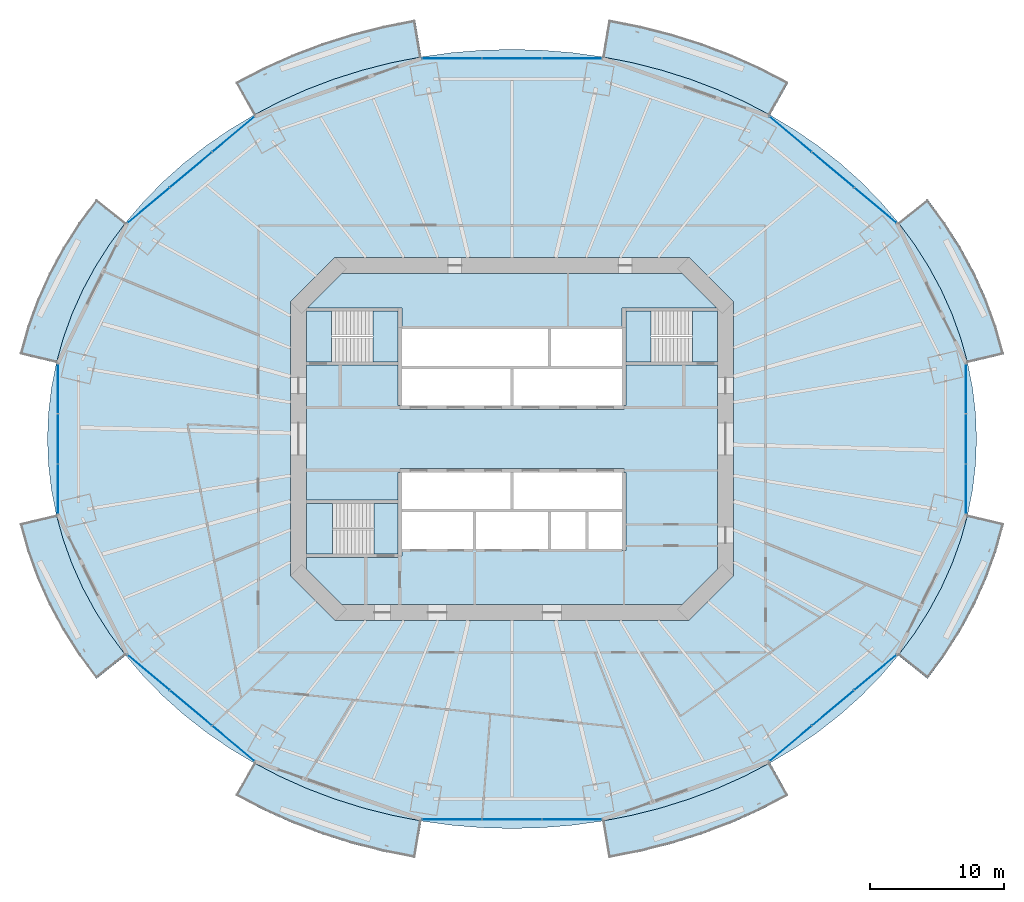
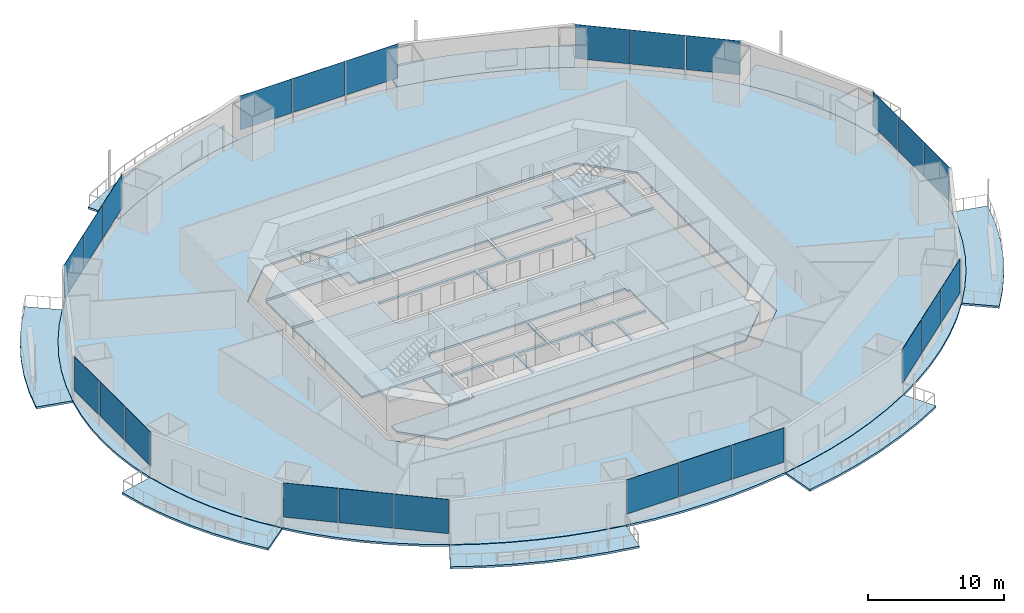
# One storey, part 12 of 22: 24 plates, 17 slabs, 11 elements without a shape of their own.
"""IFC4 building model written with IfcOpenShell, lengths in metres."""

from ifc_helpers import new_model, si_unit, direction, frame, origin, origin_2d, place, context, subcontext, project, spatial, polyline, rectangle, outline, extrude, material, layer, layer_set, type_object, element, aggregate, save


model = new_model("IFC4")

# Units and contexts
model_context = context("Model", 3, precision=1e-05, world=origin(), true_north=direction((0.0, 1.0)))
body_context = subcontext(model_context, "Body", "Model", "MODEL_VIEW")
ifc_project = project(units=[si_unit("LENGTHUNIT", "METRE"), si_unit("AREAUNIT", "SQUARE_METRE"), si_unit("VOLUMEUNIT", "CUBIC_METRE"), si_unit("PLANEANGLEUNIT", "RADIAN"), si_unit("MASSUNIT", "GRAM", prefix="KILO")], contexts=[model_context])

# Site, building, storey
site_placement = place(None, origin())
site = spatial("IfcSite", under=ifc_project, at=site_placement, CompositionType="ELEMENT")
building_placement = place(site_placement, origin())
building = spatial("IfcBuilding", under=site, at=building_placement, Name="Marenthal Gate Tower", CompositionType="ELEMENT")
storey_placement = place(building_placement, frame((0.0, 0.0, 95.25)))
storey = spatial("IfcBuildingStorey", under=building, at=storey_placement, Name="L19", CompositionType="ELEMENT", Elevation=95.25)

# Slabs
ifc_material_1 = material(Name="Concrete 40 MPa", Category="concrete")
ifc_layer_1 = layer(ifc_material_1, 0.179931640625)
ifc_layer_set_1 = layer_set([ifc_layer_1], Name="Balcony deck 180")
slab_type_1 = type_object("IfcSlabType", Name="Balcony deck 180", PredefinedType="USERDEFINED", material=ifc_layer_set_1)
slab_1_placement = place(storey_placement, frame((0.0, 0.0, -0.219970703125)))
element("IfcSlab", 1, at=slab_1_placement, inside=storey, type_object=slab_type_1, Name="Balcony deck L19 bay 1", ObjectType="BALCONY", PredefinedType="USERDEFINED", context=body_context, shape_type="SweptSolid", body=[
    extrude(outline(polyline([(34.11962890625, 5.69140625), (33.6025390625, 7.550537109375), (32.94189453125, 9.37744140625), (32.139892578125, 11.1640625), (31.200439453125, 12.90283203125), (30.127197265625, 14.58642578125), (28.92529296875, 16.207763671875), (31.114990234375, 17.95263671875), (32.43359375, 16.17431640625), (33.614013671875, 14.322265625), (34.650390625, 12.404052734375), (35.537109375, 10.427978515625), (36.269775390625, 8.40283203125), (36.843994140625, 6.337646484375), (34.11962890625, 5.69140625)])), origin(), (0.0, 0.0, 1.0), 0.179931640625),
])
slab_2_placement = place(storey_placement, frame((0.0, 0.0, -0.219970703125)))
element("IfcSlab", 2, at=slab_2_placement, inside=storey, type_object=slab_type_1, Name="Balcony deck L19 bay 3", ObjectType="BALCONY", PredefinedType="USERDEFINED", context=body_context, shape_type="SweptSolid", body=[
    extrude(outline(polyline([(19.3271484375, 24.256591796875), (17.39404296875, 25.2646484375), (15.38623046875, 26.16455078125), (13.312744140625, 26.952392578125), (11.18212890625, 27.624755859375), (9.00390625, 28.178955078125), (6.786865234375, 28.6123046875), (7.24755859375, 31.374267578125), (9.61767578125, 30.910888671875), (11.94873046875, 30.31787109375), (14.2314453125, 29.59716796875), (16.456298828125, 28.751953125), (18.6142578125, 27.78466796875), (20.69580078125, 26.69921875), (19.3271484375, 24.256591796875)])), origin(), (0.0, 0.0, 1.0), 0.179931640625),
])
slab_3_placement = place(storey_placement, frame((0.0, 0.0, -0.219970703125)))
element("IfcSlab", 3, at=slab_3_placement, inside=storey, type_object=slab_type_1, Name="Balcony deck L19 bay 5", ObjectType="BALCONY", PredefinedType="USERDEFINED", context=body_context, shape_type="SweptSolid", body=[
    extrude(outline(polyline([(-6.786865234375, 28.6123046875), (-9.00390625, 28.178955078125), (-11.18212890625, 27.624755859375), (-13.312744140625, 26.952392578125), (-15.38623046875, 26.16455078125), (-17.39404296875, 25.2646484375), (-19.3271484375, 24.256591796875), (-20.69580078125, 26.69921875), (-18.6142578125, 27.78466796875), (-16.456298828125, 28.751953125), (-14.2314453125, 29.59716796875), (-11.94873046875, 30.31787109375), (-9.61767578125, 30.910888671875), (-7.24755859375, 31.374267578125), (-6.786865234375, 28.6123046875)])), origin(), (0.0, 0.0, 1.0), 0.179931640625),
])
slab_4_placement = place(storey_placement, frame((0.0, 0.0, -0.219970703125)))
element("IfcSlab", 4, at=slab_4_placement, inside=storey, type_object=slab_type_1, Name="Balcony deck L19 bay 7", ObjectType="BALCONY", PredefinedType="USERDEFINED", context=body_context, shape_type="SweptSolid", body=[
    extrude(outline(polyline([(-28.92529296875, 16.207763671875), (-30.127197265625, 14.58642578125), (-31.200439453125, 12.90283203125), (-32.139892578125, 11.1640625), (-32.94189453125, 9.37744140625), (-33.6025390625, 7.550537109375), (-34.11962890625, 5.69140625), (-36.843994140625, 6.337646484375), (-36.269775390625, 8.40283203125), (-35.537109375, 10.427978515625), (-34.650390625, 12.404052734375), (-33.614013671875, 14.322265625), (-32.43359375, 16.17431640625), (-31.114990234375, 17.95263671875), (-28.92529296875, 16.207763671875)])), origin(), (0.0, 0.0, 1.0), 0.179931640625),
])
slab_5_placement = place(storey_placement, frame((0.0, 0.0, -0.219970703125)))
element("IfcSlab", 5, at=slab_5_placement, inside=storey, type_object=slab_type_1, Name="Balcony deck L19 bay 9", ObjectType="BALCONY", PredefinedType="USERDEFINED", context=body_context, shape_type="SweptSolid", body=[
    extrude(outline(polyline([(-34.11962890625, -5.69140625), (-33.6025390625, -7.550537109375), (-32.94189453125, -9.37744140625), (-32.139892578125, -11.1640625), (-31.200439453125, -12.90283203125), (-30.127197265625, -14.58642578125), (-28.92529296875, -16.207763671875), (-31.114990234375, -17.95263671875), (-32.43359375, -16.17431640625), (-33.614013671875, -14.322265625), (-34.650390625, -12.404052734375), (-35.537109375, -10.427978515625), (-36.269775390625, -8.40283203125), (-36.843994140625, -6.337646484375), (-34.11962890625, -5.69140625)])), origin(), (0.0, 0.0, 1.0), 0.179931640625),
])
slab_6_placement = place(storey_placement, frame((0.0, 0.0, -0.219970703125)))
element("IfcSlab", 6, at=slab_6_placement, inside=storey, type_object=slab_type_1, Name="Balcony deck L19 bay 11", ObjectType="BALCONY", PredefinedType="USERDEFINED", context=body_context, shape_type="SweptSolid", body=[
    extrude(outline(polyline([(-19.3271484375, -24.256591796875), (-17.39404296875, -25.2646484375), (-15.38623046875, -26.16455078125), (-13.312744140625, -26.952392578125), (-11.18212890625, -27.624755859375), (-9.00390625, -28.178955078125), (-6.786865234375, -28.6123046875), (-7.24755859375, -31.374267578125), (-9.61767578125, -30.910888671875), (-11.94873046875, -30.31787109375), (-14.2314453125, -29.59716796875), (-16.456298828125, -28.751953125), (-18.6142578125, -27.78466796875), (-20.69580078125, -26.69921875), (-19.3271484375, -24.256591796875)])), origin(), (0.0, 0.0, 1.0), 0.179931640625),
])
slab_7_placement = place(storey_placement, frame((0.0, 0.0, -0.219970703125)))
element("IfcSlab", 7, at=slab_7_placement, inside=storey, type_object=slab_type_1, Name="Balcony deck L19 bay 13", ObjectType="BALCONY", PredefinedType="USERDEFINED", context=body_context, shape_type="SweptSolid", body=[
    extrude(outline(polyline([(6.786865234375, -28.6123046875), (9.00390625, -28.178955078125), (11.18212890625, -27.624755859375), (13.312744140625, -26.952392578125), (15.38623046875, -26.16455078125), (17.39404296875, -25.2646484375), (19.3271484375, -24.256591796875), (20.69580078125, -26.69921875), (18.6142578125, -27.78466796875), (16.456298828125, -28.751953125), (14.2314453125, -29.59716796875), (11.94873046875, -30.31787109375), (9.61767578125, -30.910888671875), (7.24755859375, -31.374267578125), (6.786865234375, -28.6123046875)])), origin(), (0.0, 0.0, 1.0), 0.179931640625),
])
slab_8_placement = place(storey_placement, frame((0.0, 0.0, -0.219970703125)))
element("IfcSlab", 8, at=slab_8_placement, inside=storey, type_object=slab_type_1, Name="Balcony deck L19 bay 15", ObjectType="BALCONY", PredefinedType="USERDEFINED", context=body_context, shape_type="SweptSolid", body=[
    extrude(outline(polyline([(28.92529296875, -16.207763671875), (30.127197265625, -14.58642578125), (31.200439453125, -12.90283203125), (32.139892578125, -11.1640625), (32.94189453125, -9.37744140625), (33.6025390625, -7.550537109375), (34.11962890625, -5.69140625), (36.843994140625, -6.337646484375), (36.269775390625, -8.40283203125), (35.537109375, -10.427978515625), (34.650390625, -12.404052734375), (33.614013671875, -14.322265625), (32.43359375, -16.17431640625), (31.114990234375, -17.95263671875), (28.92529296875, -16.207763671875)])), origin(), (0.0, 0.0, 1.0), 0.179931640625),
])
ifc_material_2 = material(Name="Concrete 50 MPa", Category="concrete")
ifc_layer_2 = layer(ifc_material_2, 0.179931640625)
ifc_layer_set_2 = layer_set([ifc_layer_2], Name="Core floor slab 180")
slab_type_2 = type_object("IfcSlabType", Name="Core floor slab 180", PredefinedType="FLOOR", material=ifc_layer_set_2)
slab_9_placement = place(storey_placement, frame((0.0, 0.0, -0.179931640625)))
element("IfcSlab", 9, at=slab_9_placement, inside=storey, type_object=slab_type_2, Name="Core floor L19", PredefinedType="FLOOR", context=body_context, shape_type="SweptSolid", body=[
    extrude(outline(polyline([(15.39990234375, -9.75146484375), (12.75146484375, -12.39990234375), (-12.75146484375, -12.39990234375), (-15.39990234375, -9.75146484375), (-15.39990234375, -8.875), (-8.550048828125, -8.875), (-8.550048828125, -8.75), (-8.25, -8.75), (-8.25, -8.239990234375), (-5.60009765625, -8.239990234375), (-2.909912109375, -8.239990234375), (-2.909912109375, -5.4599609375), (-5.60009765625, -5.4599609375), (-8.25, -5.4599609375), (-8.25, -5.239990234375), (-5.60009765625, -5.239990234375), (-2.800048828125, -5.239990234375), (-0.110107421875, -5.239990234375), (-0.110107421875, -2.5), (0.110107421875, -2.5), (0.110107421875, -5.239990234375), (2.800048828125, -5.239990234375), (5.60009765625, -5.239990234375), (8.25, -5.239990234375), (8.25, -5.4599609375), (5.7099609375, -5.4599609375), (5.7099609375, -8.239990234375), (8.25, -8.239990234375), (8.25, -8.35009765625), (8.550048828125, -8.35009765625), (8.550048828125, -2.5), (8.39990234375, -2.5), (8.39990234375, -2.199951171875), (-8.39990234375, -2.199951171875), (-8.39990234375, -2.5), (-8.550048828125, -2.5), (-8.550048828125, -4.574951171875), (-15.39990234375, -4.574951171875), (-15.39990234375, 5.52490234375), (-8.550048828125, 5.52490234375), (-8.550048828125, 2.5), (-8.39990234375, 2.5), (-8.39990234375, 2.199951171875), (8.39990234375, 2.199951171875), (8.39990234375, 2.5), (8.550048828125, 2.5), (8.550048828125, 5.52490234375), (15.39990234375, 5.52490234375), (15.39990234375, -9.75146484375)]), holes=[polyline([(2.68994140625, -5.4599609375), (0.0, -5.4599609375), (-2.68994140625, -5.4599609375), (-2.68994140625, -8.239990234375), (0.0, -8.239990234375), (2.68994140625, -8.239990234375), (2.68994140625, -5.4599609375)]), polyline([(5.489990234375, -5.4599609375), (2.909912109375, -5.4599609375), (2.909912109375, -8.239990234375), (5.489990234375, -8.239990234375), (5.489990234375, -5.4599609375)])]), origin(), (0.0, 0.0, 1.0), 0.179931640625),
])
slab_10_placement = place(storey_placement, frame((0.0, 0.0, -0.179931640625)))
element("IfcSlab", 10, at=slab_10_placement, inside=storey, type_object=slab_type_2, Name="Core floor L19", PredefinedType="FLOOR", context=body_context, shape_type="SweptSolid", body=[
    extrude(outline(polyline([(15.39990234375, 5.77490234375), (13.5, 5.77490234375), (13.5, 9.574951171875), (15.39990234375, 9.574951171875), (15.39990234375, 5.77490234375)])), origin(), (0.0, 0.0, 1.0), 0.179931640625),
])
slab_11_placement = place(storey_placement, frame((0.0, 0.0, -0.179931640625)))
element("IfcSlab", 11, at=slab_11_placement, inside=storey, type_object=slab_type_2, Name="Core floor L19", PredefinedType="FLOOR", context=body_context, shape_type="SweptSolid", body=[
    extrude(outline(polyline([(12.75146484375, 12.39990234375), (15.326416015625, 9.824951171875), (8.550048828125, 9.824951171875), (8.25, 9.824951171875), (8.25, 8.35009765625), (8.25, 8.239990234375), (5.60009765625, 8.239990234375), (2.909912109375, 8.239990234375), (2.909912109375, 5.4599609375), (5.60009765625, 5.4599609375), (8.25, 5.4599609375), (8.25, 5.239990234375), (5.60009765625, 5.239990234375), (2.800048828125, 5.239990234375), (0.110107421875, 5.239990234375), (0.110107421875, 2.5), (-0.110107421875, 2.5), (-0.110107421875, 5.239990234375), (-2.800048828125, 5.239990234375), (-5.60009765625, 5.239990234375), (-8.25, 5.239990234375), (-8.25, 5.4599609375), (-5.60009765625, 5.4599609375), (-2.800048828125, 5.4599609375), (0.0, 5.4599609375), (2.68994140625, 5.4599609375), (2.68994140625, 8.239990234375), (0.0, 8.239990234375), (-2.800048828125, 8.239990234375), (-5.60009765625, 8.239990234375), (-8.25, 8.239990234375), (-8.25, 8.35009765625), (-8.25, 9.824951171875), (-8.550048828125, 9.824951171875), (-15.326416015625, 9.824951171875), (-12.75146484375, 12.39990234375), (12.75146484375, 12.39990234375)])), origin(), (0.0, 0.0, 1.0), 0.179931640625),
])
slab_12_placement = place(storey_placement, frame((0.0, 0.0, -0.179931640625)))
element("IfcSlab", 12, at=slab_12_placement, inside=storey, type_object=slab_type_2, Name="Core floor L19", PredefinedType="FLOOR", context=body_context, shape_type="SweptSolid", body=[
    extrude(outline(polyline([(-15.39990234375, 9.574951171875), (-13.5, 9.574951171875), (-13.5, 5.77490234375), (-15.39990234375, 5.77490234375), (-15.39990234375, 9.574951171875)])), origin(), (0.0, 0.0, 1.0), 0.179931640625),
])
slab_13_placement = place(storey_placement, frame((0.0, 0.0, -0.179931640625)))
element("IfcSlab", 13, at=slab_13_placement, inside=storey, type_object=slab_type_2, Name="Core floor L19", PredefinedType="FLOOR", context=body_context, shape_type="SweptSolid", body=[
    extrude(outline(polyline([(-8.550048828125, -8.625), (-10.35009765625, -8.625), (-10.35009765625, -4.824951171875), (-8.550048828125, -4.824951171875), (-8.550048828125, -8.625)])), origin(), (0.0, 0.0, 1.0), 0.179931640625),
])
ifc_material_3 = material(Name="Concrete 35 MPa", Category="concrete")
ifc_layer_3 = layer(ifc_material_3, 0.179931640625)
ifc_layer_set_3 = layer_set([ifc_layer_3], Name="Floor slab 180")
slab_type_3 = type_object("IfcSlabType", Name="Floor slab 180", PredefinedType="FLOOR", material=ifc_layer_set_3)
slab_14_placement = place(storey_placement, frame((0.0, 0.0, -0.179931640625)))
element("IfcSlab", 14, at=slab_14_placement, inside=storey, type_object=slab_type_3, Name="SL-L19-01", PredefinedType="FLOOR", context=body_context, shape_type="SweptSolid", body=[
    extrude(outline(polyline([(34.7880859375, 0.0), (34.71337890625, 1.907958984375), (34.490478515625, 3.807861328125), (34.11962890625, 5.69140625), (33.6025390625, 7.550537109375), (32.94189453125, 9.37744140625), (32.139892578125, 11.1640625), (31.200439453125, 12.90283203125), (30.127197265625, 14.58642578125), (28.92529296875, 16.207763671875), (27.59912109375, 17.759521484375), (26.155029296875, 19.235107421875), (24.598876953125, 20.62841796875), (22.937255859375, 21.933349609375), (21.177490234375, 23.14453125), (19.3271484375, 24.256591796875), (17.39404296875, 25.2646484375), (15.38623046875, 26.16455078125), (13.312744140625, 26.952392578125), (11.18212890625, 27.624755859375), (9.00390625, 28.178955078125), (6.786865234375, 28.6123046875), (4.540771484375, 28.92333984375), (2.275146484375, 29.110595703125), (0.0, 29.173095703125), (-2.275146484375, 29.110595703125), (-4.540771484375, 28.92333984375), (-6.786865234375, 28.6123046875), (-9.00390625, 28.178955078125), (-11.18212890625, 27.624755859375), (-13.312744140625, 26.952392578125), (-15.38623046875, 26.16455078125), (-17.39404296875, 25.2646484375), (-19.3271484375, 24.256591796875), (-21.177490234375, 23.14453125), (-22.937255859375, 21.933349609375), (-24.598876953125, 20.62841796875), (-26.155029296875, 19.235107421875), (-27.59912109375, 17.759521484375), (-28.92529296875, 16.207763671875), (-30.127197265625, 14.58642578125), (-31.200439453125, 12.90283203125), (-32.139892578125, 11.1640625), (-32.94189453125, 9.37744140625), (-33.6025390625, 7.550537109375), (-34.11962890625, 5.69140625), (-34.490478515625, 3.807861328125), (-34.71337890625, 1.907958984375), (-34.7880859375, 0.0), (-34.71337890625, -1.907958984375), (-34.490478515625, -3.807861328125), (-34.11962890625, -5.69140625), (-33.6025390625, -7.550537109375), (-32.94189453125, -9.37744140625), (-32.139892578125, -11.1640625), (-31.200439453125, -12.90283203125), (-30.127197265625, -14.58642578125), (-28.92529296875, -16.207763671875), (-27.59912109375, -17.759521484375), (-26.155029296875, -19.235107421875), (-24.598876953125, -20.62841796875), (-22.937255859375, -21.933349609375), (-21.177490234375, -23.14453125), (-19.3271484375, -24.256591796875), (-17.39404296875, -25.2646484375), (-15.38623046875, -26.16455078125), (-13.312744140625, -26.952392578125), (-11.18212890625, -27.624755859375), (-9.00390625, -28.178955078125), (-6.786865234375, -28.6123046875), (-4.540771484375, -28.92333984375), (-2.275146484375, -29.110595703125), (0.0, -29.173095703125), (2.275146484375, -29.110595703125), (4.540771484375, -28.92333984375), (6.786865234375, -28.6123046875), (9.00390625, -28.178955078125), (11.18212890625, -27.624755859375), (13.312744140625, -26.952392578125), (15.38623046875, -26.16455078125), (17.39404296875, -25.2646484375), (19.3271484375, -24.256591796875), (21.177490234375, -23.14453125), (22.937255859375, -21.933349609375), (24.598876953125, -20.62841796875), (26.155029296875, -19.235107421875), (27.59912109375, -17.759521484375), (28.92529296875, -16.207763671875), (30.127197265625, -14.58642578125), (31.200439453125, -12.90283203125), (32.139892578125, -11.1640625), (32.94189453125, -9.37744140625), (33.6025390625, -7.550537109375), (34.11962890625, -5.69140625), (34.490478515625, -3.807861328125), (34.71337890625, -1.907958984375), (34.7880859375, 0.0)]), holes=[polyline([(13.24853515625, -13.60009765625), (16.60009765625, -10.24853515625), (16.60009765625, 10.24853515625), (13.24853515625, 13.60009765625), (-13.24853515625, 13.60009765625), (-16.60009765625, 10.24853515625), (-16.60009765625, -10.24853515625), (-13.24853515625, -13.60009765625), (13.24853515625, -13.60009765625)])]), origin(), (0.0, 0.0, 1.0), 0.179931640625),
])

# Curtain wall, plates
ifc_material_4 = material(Name="Aluminium and glass", Category="aluminium")
curtain_wall_type = type_object("IfcCurtainWallType", Name="Curtain wall typical low", PredefinedType="NOTDEFINED", material=ifc_material_4)
curtain_wall_1_placement = place(storey_placement, origin())
curtain_wall_1 = element("IfcCurtainWall", 15, at=curtain_wall_1_placement, inside=storey, type_object=curtain_wall_type, Name="Curtain wall L19 bay 2", PredefinedType="NOTDEFINED")
ifc_material_5 = material(Name="Glass, laminated insulating unit", Category="glass")
ifc_layer_4 = layer(ifc_material_5, 0.030029296875)
ifc_layer_set_4 = layer_set([ifc_layer_4], Name="Glass panel 30 typical low")
plate_type = type_object("IfcPlateType", Name="Glass panel 30 typical low", PredefinedType="CURTAIN_PANEL", material=ifc_layer_set_4)
plate_1_placement = place(storey_placement, frame((27.2158203125, 17.48974609375, 0.89990234375), z_axis=(0.0, 0.0, 1.0), x_axis=(-0.766446913648, 0.642307658805, 0.0)))
plate_1 = element("IfcPlate", 16, at=plate_1_placement, type_object=plate_type, Name="Glass panel L19 bay 2.1", PredefinedType="CURTAIN_PANEL", context=body_context, shape_type="SweptSolid", body=[
    extrude(rectangle(XDim=4.079833984375, YDim=0.030029296875, at=origin_2d()), origin(), (0.0, 0.0, 1.0), 3.070068359375),
])
plate_2_placement = place(storey_placement, frame((24.04296875, 20.14892578125, 0.89990234375), z_axis=(0.0, 0.0, 1.0), x_axis=(-0.766446913648, 0.642307658805, 0.0)))
plate_2 = element("IfcPlate", 17, at=plate_2_placement, type_object=plate_type, Name="Glass panel L19 bay 2.2", PredefinedType="CURTAIN_PANEL", context=body_context, shape_type="SweptSolid", body=[
    extrude(rectangle(XDim=4.079833984375, YDim=0.030029296875, at=origin_2d()), origin(), (0.0, 0.0, 1.0), 3.070068359375),
])
plate_3_placement = place(storey_placement, frame((20.869873046875, 22.807861328125, 0.89990234375), z_axis=(0.0, 0.0, 1.0), x_axis=(-0.766446913648, 0.642307658805, 0.0)))
plate_3 = element("IfcPlate", 18, at=plate_3_placement, type_object=plate_type, Name="Glass panel L19 bay 2.3", PredefinedType="CURTAIN_PANEL", context=body_context, shape_type="SweptSolid", body=[
    extrude(rectangle(XDim=4.079833984375, YDim=0.030029296875, at=origin_2d()), origin(), (0.0, 0.0, 1.0), 3.070068359375),
])
aggregate(curtain_wall_1, [plate_1, plate_2, plate_3])

curtain_wall_2_placement = place(storey_placement, origin())
curtain_wall_2 = element("IfcCurtainWall", 19, at=curtain_wall_2_placement, inside=storey, type_object=curtain_wall_type, Name="Curtain wall L19 bay 4", PredefinedType="NOTDEFINED")
plate_4_placement = place(storey_placement, frame((4.489013671875, 28.494873046875, 0.89990234375), z_axis=(0.0, 0.0, 1.0), x_axis=(-1.0, 0.0, 0.0)))
plate_4 = element("IfcPlate", 20, at=plate_4_placement, type_object=plate_type, Name="Glass panel L19 bay 4.1", PredefinedType="CURTAIN_PANEL", context=body_context, shape_type="SweptSolid", body=[
    extrude(rectangle(XDim=4.428955078125, YDim=0.030029296875, at=origin_2d()), origin(), (0.0, 0.0, 1.0), 3.070068359375),
])
plate_5_placement = place(storey_placement, frame((0.0, 28.494873046875, 0.89990234375), z_axis=(0.0, 0.0, 1.0), x_axis=(-1.0, 0.0, 0.0)))
plate_5 = element("IfcPlate", 21, at=plate_5_placement, type_object=plate_type, Name="Glass panel L19 bay 4.2", PredefinedType="CURTAIN_PANEL", context=body_context, shape_type="SweptSolid", body=[
    extrude(rectangle(XDim=4.428955078125, YDim=0.030029296875, at=origin_2d()), origin(), (0.0, 0.0, 1.0), 3.070068359375),
])
plate_6_placement = place(storey_placement, frame((-4.489013671875, 28.494873046875, 0.89990234375), z_axis=(0.0, 0.0, 1.0), x_axis=(-1.0, 0.0, 0.0)))
plate_6 = element("IfcPlate", 22, at=plate_6_placement, type_object=plate_type, Name="Glass panel L19 bay 4.3", PredefinedType="CURTAIN_PANEL", context=body_context, shape_type="SweptSolid", body=[
    extrude(rectangle(XDim=4.428955078125, YDim=0.030029296875, at=origin_2d()), origin(), (0.0, 0.0, 1.0), 3.070068359375),
])
aggregate(curtain_wall_2, [plate_4, plate_5, plate_6])

curtain_wall_3_placement = place(storey_placement, origin())
curtain_wall_3 = element("IfcCurtainWall", 23, at=curtain_wall_3_placement, inside=storey, type_object=curtain_wall_type, Name="Curtain wall L19 bay 6", PredefinedType="NOTDEFINED")
plate_7_placement = place(storey_placement, frame((-20.869873046875, 22.807861328125, 0.89990234375), z_axis=(0.0, 0.0, 1.0), x_axis=(-0.766446913648, -0.642307658805, 0.0)))
plate_7 = element("IfcPlate", 24, at=plate_7_placement, type_object=plate_type, Name="Glass panel L19 bay 6.1", PredefinedType="CURTAIN_PANEL", context=body_context, shape_type="SweptSolid", body=[
    extrude(rectangle(XDim=4.079833984375, YDim=0.030029296875, at=origin_2d()), origin(), (0.0, 0.0, 1.0), 3.070068359375),
])
plate_8_placement = place(storey_placement, frame((-24.04296875, 20.14892578125, 0.89990234375), z_axis=(0.0, 0.0, 1.0), x_axis=(-0.766446913648, -0.642307658805, 0.0)))
plate_8 = element("IfcPlate", 25, at=plate_8_placement, type_object=plate_type, Name="Glass panel L19 bay 6.2", PredefinedType="CURTAIN_PANEL", context=body_context, shape_type="SweptSolid", body=[
    extrude(rectangle(XDim=4.079833984375, YDim=0.030029296875, at=origin_2d()), origin(), (0.0, 0.0, 1.0), 3.070068359375),
])
plate_9_placement = place(storey_placement, frame((-27.2158203125, 17.48974609375, 0.89990234375), z_axis=(0.0, 0.0, 1.0), x_axis=(-0.766446913648, -0.642307658805, 0.0)))
plate_9 = element("IfcPlate", 26, at=plate_9_placement, type_object=plate_type, Name="Glass panel L19 bay 6.3", PredefinedType="CURTAIN_PANEL", context=body_context, shape_type="SweptSolid", body=[
    extrude(rectangle(XDim=4.079833984375, YDim=0.030029296875, at=origin_2d()), origin(), (0.0, 0.0, 1.0), 3.070068359375),
])
aggregate(curtain_wall_3, [plate_7, plate_8, plate_9])

curtain_wall_4_placement = place(storey_placement, origin())
curtain_wall_4 = element("IfcCurtainWall", 27, at=curtain_wall_4_placement, inside=storey, type_object=curtain_wall_type, Name="Curtain wall L19 bay 8", PredefinedType="NOTDEFINED")
plate_10_placement = place(storey_placement, frame((-34.001953125, 3.758544921875, 0.89990234375), z_axis=(0.0, 0.0, 1.0), x_axis=(0.0, -1.0, 0.0)))
plate_10 = element("IfcPlate", 28, at=plate_10_placement, type_object=plate_type, Name="Glass panel L19 bay 8.1", PredefinedType="CURTAIN_PANEL", context=body_context, shape_type="SweptSolid", body=[
    extrude(rectangle(XDim=3.69873046875, YDim=0.030029296875, at=origin_2d()), origin(), (0.0, 0.0, 1.0), 3.070068359375),
])
plate_11_placement = place(storey_placement, frame((-34.001953125, 0.0, 0.89990234375), z_axis=(0.0, 0.0, 1.0), x_axis=(0.0, -1.0, 0.0)))
plate_11 = element("IfcPlate", 29, at=plate_11_placement, type_object=plate_type, Name="Glass panel L19 bay 8.2", PredefinedType="CURTAIN_PANEL", context=body_context, shape_type="SweptSolid", body=[
    extrude(rectangle(XDim=3.698486328125, YDim=0.030029296875, at=origin_2d()), origin(), (0.0, 0.0, 1.0), 3.070068359375),
])
plate_12_placement = place(storey_placement, frame((-34.001953125, -3.758544921875, 0.89990234375), z_axis=(0.0, 0.0, 1.0), x_axis=(0.0, -1.0, 0.0)))
plate_12 = element("IfcPlate", 30, at=plate_12_placement, type_object=plate_type, Name="Glass panel L19 bay 8.3", PredefinedType="CURTAIN_PANEL", context=body_context, shape_type="SweptSolid", body=[
    extrude(rectangle(XDim=3.69873046875, YDim=0.030029296875, at=origin_2d()), origin(), (0.0, 0.0, 1.0), 3.070068359375),
])
aggregate(curtain_wall_4, [plate_10, plate_11, plate_12])

curtain_wall_5_placement = place(storey_placement, origin())
curtain_wall_5 = element("IfcCurtainWall", 31, at=curtain_wall_5_placement, inside=storey, type_object=curtain_wall_type, Name="Curtain wall L19 bay 10", PredefinedType="NOTDEFINED")
plate_13_placement = place(storey_placement, frame((-27.2158203125, -17.48974609375, 0.89990234375), z_axis=(0.0, 0.0, 1.0), x_axis=(0.766446913648, -0.642307658805, 0.0)))
plate_13 = element("IfcPlate", 32, at=plate_13_placement, type_object=plate_type, Name="Glass panel L19 bay 10.1", PredefinedType="CURTAIN_PANEL", context=body_context, shape_type="SweptSolid", body=[
    extrude(rectangle(XDim=4.079833984375, YDim=0.030029296875, at=origin_2d()), origin(), (0.0, 0.0, 1.0), 3.070068359375),
])
plate_14_placement = place(storey_placement, frame((-24.04296875, -20.14892578125, 0.89990234375), z_axis=(0.0, 0.0, 1.0), x_axis=(0.766446913648, -0.642307658805, 0.0)))
plate_14 = element("IfcPlate", 33, at=plate_14_placement, type_object=plate_type, Name="Glass panel L19 bay 10.2", PredefinedType="CURTAIN_PANEL", context=body_context, shape_type="SweptSolid", body=[
    extrude(rectangle(XDim=4.079833984375, YDim=0.030029296875, at=origin_2d()), origin(), (0.0, 0.0, 1.0), 3.070068359375),
])
plate_15_placement = place(storey_placement, frame((-20.869873046875, -22.807861328125, 0.89990234375), z_axis=(0.0, 0.0, 1.0), x_axis=(0.766446913648, -0.642307658805, 0.0)))
plate_15 = element("IfcPlate", 34, at=plate_15_placement, type_object=plate_type, Name="Glass panel L19 bay 10.3", PredefinedType="CURTAIN_PANEL", context=body_context, shape_type="SweptSolid", body=[
    extrude(rectangle(XDim=4.079833984375, YDim=0.030029296875, at=origin_2d()), origin(), (0.0, 0.0, 1.0), 3.070068359375),
])
aggregate(curtain_wall_5, [plate_13, plate_14, plate_15])

curtain_wall_6_placement = place(storey_placement, origin())
curtain_wall_6 = element("IfcCurtainWall", 35, at=curtain_wall_6_placement, inside=storey, type_object=curtain_wall_type, Name="Curtain wall L19 bay 12", PredefinedType="NOTDEFINED")
plate_16_placement = place(storey_placement, frame((-4.489013671875, -28.494873046875, 0.89990234375), z_axis=(0.0, 0.0, 1.0), x_axis=(1.0, 0.0, 0.0)))
plate_16 = element("IfcPlate", 36, at=plate_16_placement, type_object=plate_type, Name="Glass panel L19 bay 12.1", PredefinedType="CURTAIN_PANEL", context=body_context, shape_type="SweptSolid", body=[
    extrude(rectangle(XDim=4.428955078125, YDim=0.030029296875, at=origin_2d()), origin(), (0.0, 0.0, 1.0), 3.070068359375),
])
plate_17_placement = place(storey_placement, frame((0.0, -28.494873046875, 0.89990234375), z_axis=(0.0, 0.0, 1.0), x_axis=(1.0, 0.0, 0.0)))
plate_17 = element("IfcPlate", 37, at=plate_17_placement, type_object=plate_type, Name="Glass panel L19 bay 12.2", PredefinedType="CURTAIN_PANEL", context=body_context, shape_type="SweptSolid", body=[
    extrude(rectangle(XDim=4.428955078125, YDim=0.030029296875, at=origin_2d()), origin(), (0.0, 0.0, 1.0), 3.070068359375),
])
plate_18_placement = place(storey_placement, frame((4.489013671875, -28.494873046875, 0.89990234375), z_axis=(0.0, 0.0, 1.0), x_axis=(1.0, 0.0, 0.0)))
plate_18 = element("IfcPlate", 38, at=plate_18_placement, type_object=plate_type, Name="Glass panel L19 bay 12.3", PredefinedType="CURTAIN_PANEL", context=body_context, shape_type="SweptSolid", body=[
    extrude(rectangle(XDim=4.428955078125, YDim=0.030029296875, at=origin_2d()), origin(), (0.0, 0.0, 1.0), 3.070068359375),
])
aggregate(curtain_wall_6, [plate_16, plate_17, plate_18])

curtain_wall_7_placement = place(storey_placement, origin())
curtain_wall_7 = element("IfcCurtainWall", 39, at=curtain_wall_7_placement, inside=storey, type_object=curtain_wall_type, Name="Curtain wall L19 bay 14", PredefinedType="NOTDEFINED")
plate_19_placement = place(storey_placement, frame((20.869873046875, -22.807861328125, 0.89990234375), z_axis=(0.0, 0.0, 1.0), x_axis=(0.766446913648, 0.642307658805, 0.0)))
plate_19 = element("IfcPlate", 40, at=plate_19_placement, type_object=plate_type, Name="Glass panel L19 bay 14.1", PredefinedType="CURTAIN_PANEL", context=body_context, shape_type="SweptSolid", body=[
    extrude(rectangle(XDim=4.079833984375, YDim=0.030029296875, at=origin_2d()), origin(), (0.0, 0.0, 1.0), 3.070068359375),
])
plate_20_placement = place(storey_placement, frame((24.04296875, -20.14892578125, 0.89990234375), z_axis=(0.0, 0.0, 1.0), x_axis=(0.766446913648, 0.642307658805, 0.0)))
plate_20 = element("IfcPlate", 41, at=plate_20_placement, type_object=plate_type, Name="Glass panel L19 bay 14.2", PredefinedType="CURTAIN_PANEL", context=body_context, shape_type="SweptSolid", body=[
    extrude(rectangle(XDim=4.079833984375, YDim=0.030029296875, at=origin_2d()), origin(), (0.0, 0.0, 1.0), 3.070068359375),
])
plate_21_placement = place(storey_placement, frame((27.2158203125, -17.48974609375, 0.89990234375), z_axis=(0.0, 0.0, 1.0), x_axis=(0.766446913648, 0.642307658805, 0.0)))
plate_21 = element("IfcPlate", 42, at=plate_21_placement, type_object=plate_type, Name="Glass panel L19 bay 14.3", PredefinedType="CURTAIN_PANEL", context=body_context, shape_type="SweptSolid", body=[
    extrude(rectangle(XDim=4.079833984375, YDim=0.030029296875, at=origin_2d()), origin(), (0.0, 0.0, 1.0), 3.070068359375),
])
aggregate(curtain_wall_7, [plate_19, plate_20, plate_21])

curtain_wall_8_placement = place(storey_placement, origin())
curtain_wall_8 = element("IfcCurtainWall", 43, at=curtain_wall_8_placement, inside=storey, type_object=curtain_wall_type, Name="Curtain wall L19 bay 16", PredefinedType="NOTDEFINED")
plate_22_placement = place(storey_placement, frame((34.001953125, -3.758544921875, 0.89990234375), z_axis=(0.0, 0.0, 1.0), x_axis=(0.0, 1.0, 0.0)))
plate_22 = element("IfcPlate", 44, at=plate_22_placement, type_object=plate_type, Name="Glass panel L19 bay 16.1", PredefinedType="CURTAIN_PANEL", context=body_context, shape_type="SweptSolid", body=[
    extrude(rectangle(XDim=3.69873046875, YDim=0.030029296875, at=origin_2d()), origin(), (0.0, 0.0, 1.0), 3.070068359375),
])
plate_23_placement = place(storey_placement, frame((34.001953125, 0.0, 0.89990234375), z_axis=(0.0, 0.0, 1.0), x_axis=(0.0, 1.0, 0.0)))
plate_23 = element("IfcPlate", 45, at=plate_23_placement, type_object=plate_type, Name="Glass panel L19 bay 16.2", PredefinedType="CURTAIN_PANEL", context=body_context, shape_type="SweptSolid", body=[
    extrude(rectangle(XDim=3.698486328125, YDim=0.030029296875, at=origin_2d()), origin(), (0.0, 0.0, 1.0), 3.070068359375),
])
plate_24_placement = place(storey_placement, frame((34.001953125, 3.758544921875, 0.89990234375), z_axis=(0.0, 0.0, 1.0), x_axis=(0.0, 1.0, 0.0)))
plate_24 = element("IfcPlate", 46, at=plate_24_placement, type_object=plate_type, Name="Glass panel L19 bay 16.3", PredefinedType="CURTAIN_PANEL", context=body_context, shape_type="SweptSolid", body=[
    extrude(rectangle(XDim=3.69873046875, YDim=0.030029296875, at=origin_2d()), origin(), (0.0, 0.0, 1.0), 3.070068359375),
])
aggregate(curtain_wall_8, [plate_22, plate_23, plate_24])

# Stair, slab
ifc_material_6 = material(Name="Concrete 40 MPa", Category="concrete")
stair_type = type_object("IfcStairType", Name="Exit stair 1800", PredefinedType="HALF_TURN_STAIR", material=ifc_material_6)
stair_1_placement = place(storey_placement, origin())
stair_1 = element("IfcStair", 47, at=stair_1_placement, inside=storey, type_object=stair_type, Name="Stair ST1", PredefinedType="HALF_TURN_STAIR")
ifc_material_7 = material(Name="Concrete 40 MPa", Category="concrete")
ifc_layer_5 = layer(ifc_material_7, 0.199951171875)
ifc_layer_set_5 = layer_set([ifc_layer_5], Name="Stair landing 200")
slab_type_4 = type_object("IfcSlabType", Name="Stair landing 200", PredefinedType="LANDING", material=ifc_layer_set_5)
slab_15_placement = place(storey_placement, frame((0.0, 0.0, 1.875)))
slab_15 = element("IfcSlab", 48, at=slab_15_placement, type_object=slab_type_4, Name="ST1 landing 1", PredefinedType="LANDING", context=body_context, shape_type="SweptSolid", body=[
    extrude(outline(polyline([(-10.419921875, 5.77490234375), (-8.550048828125, 5.77490234375), (-8.550048828125, 9.574951171875), (-10.419921875, 9.574951171875), (-10.419921875, 5.77490234375)])), origin(), (0.0, 0.0, 1.0), 0.199951171875),
])
aggregate(stair_1, [slab_15])

stair_2_placement = place(storey_placement, origin())
stair_2 = element("IfcStair", 49, at=stair_2_placement, inside=storey, type_object=stair_type, Name="Stair ST2", PredefinedType="HALF_TURN_STAIR")
slab_16_placement = place(storey_placement, frame((0.0, 0.0, 1.875)))
slab_16 = element("IfcSlab", 50, at=slab_16_placement, type_object=slab_type_4, Name="ST2 landing 1", PredefinedType="LANDING", context=body_context, shape_type="SweptSolid", body=[
    extrude(outline(polyline([(-15.39990234375, -8.625), (-13.429931640625, -8.625), (-13.429931640625, -4.824951171875), (-15.39990234375, -4.824951171875), (-15.39990234375, -8.625)])), origin(), (0.0, 0.0, 1.0), 0.199951171875),
])
aggregate(stair_2, [slab_16])

stair_3_placement = place(storey_placement, origin())
stair_3 = element("IfcStair", 51, at=stair_3_placement, inside=storey, type_object=stair_type, Name="Stair ST3", PredefinedType="HALF_TURN_STAIR")
slab_17_placement = place(storey_placement, frame((0.0, 0.0, 1.875)))
slab_17 = element("IfcSlab", 52, at=slab_17_placement, type_object=slab_type_4, Name="ST3 landing 1", PredefinedType="LANDING", context=body_context, shape_type="SweptSolid", body=[
    extrude(outline(polyline([(8.550048828125, 5.77490234375), (10.419921875, 5.77490234375), (10.419921875, 9.574951171875), (8.550048828125, 9.574951171875), (8.550048828125, 5.77490234375)])), origin(), (0.0, 0.0, 1.0), 0.199951171875),
])
aggregate(stair_3, [slab_17])

save(model, "model.ifc")
